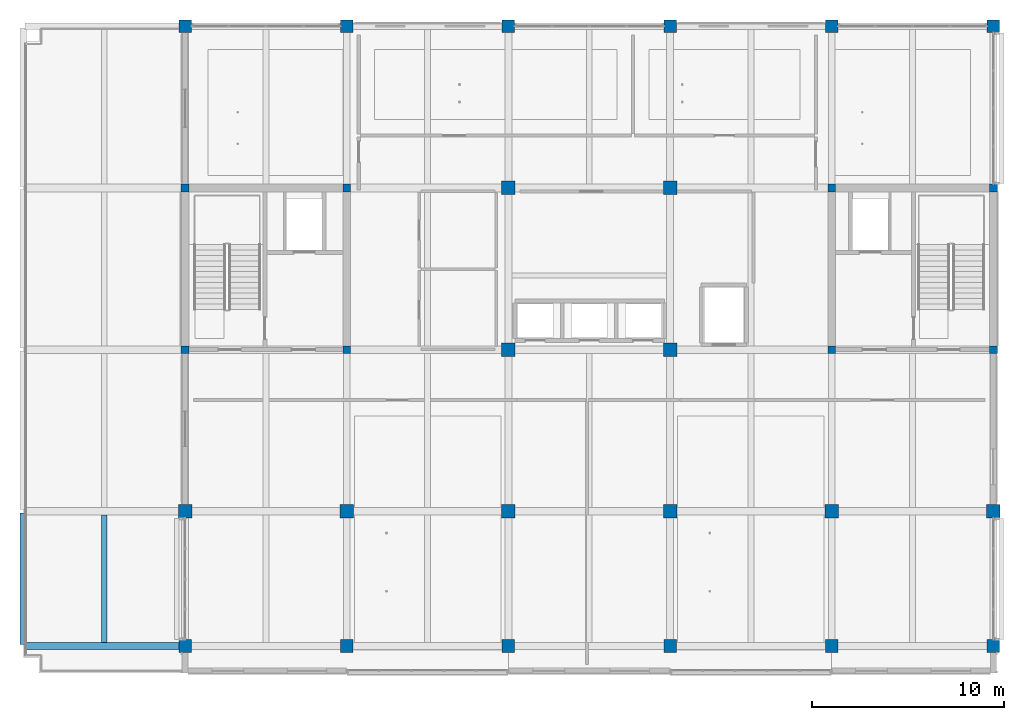
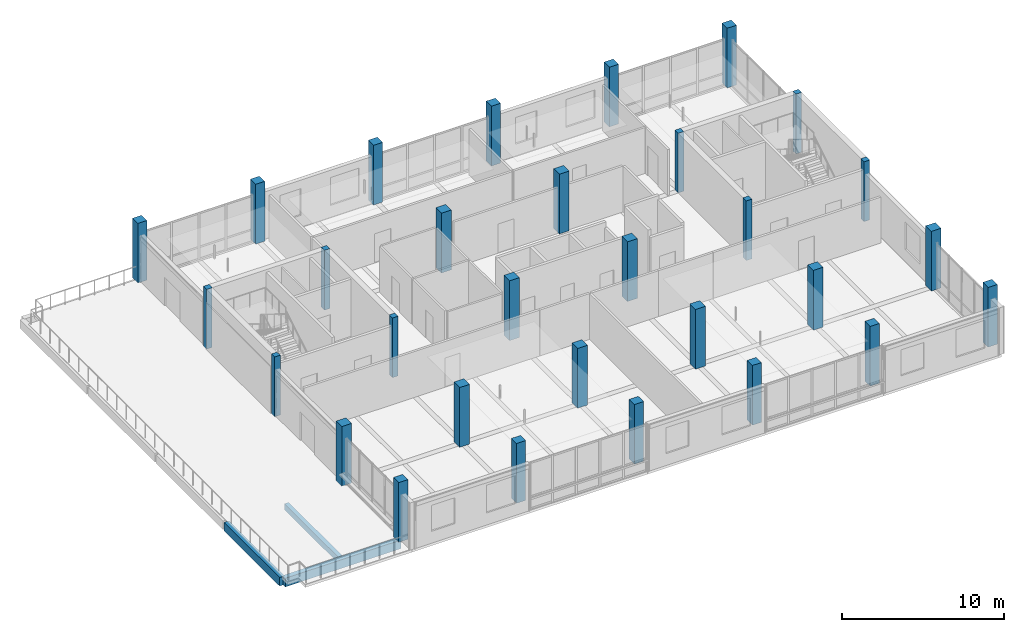
# One storey, part 1 of 28: 30 columns, 3 beams.
"""IFC4 building model written with IfcOpenShell, lengths in metres."""

from ifc_helpers import new_model, si_unit, direction, frame, origin, origin_2d, place, context, subcontext, project, spatial, rectangle, extrude, material, material_profile, profile_set, type_object, element, save


model = new_model("IFC4")

# Units and contexts
model_context = context("Model", 3, precision=1e-05, world=origin(), true_north=direction((0.0, 1.0)))
body_context = subcontext(model_context, "Body", "Model", "MODEL_VIEW")
ifc_project = project(units=[si_unit("LENGTHUNIT", "METRE"), si_unit("AREAUNIT", "SQUARE_METRE"), si_unit("VOLUMEUNIT", "CUBIC_METRE"), si_unit("PLANEANGLEUNIT", "RADIAN"), si_unit("MASSUNIT", "GRAM", prefix="KILO")], contexts=[model_context])

# Site, building, storey
site_placement = place(None, origin())
site = spatial("IfcSite", under=ifc_project, at=site_placement, CompositionType="ELEMENT")
building_placement = place(site_placement, origin())
building = spatial("IfcBuilding", under=site, at=building_placement, Name="Telukmera Botanical Conservatory", CompositionType="ELEMENT")
storey_placement = place(building_placement, frame((0.0, 0.0, 51.0)))
storey = spatial("IfcBuildingStorey", under=building, at=storey_placement, Name="L11", CompositionType="ELEMENT", Elevation=51.0)

# Columns
ifc_material_1 = material(Name="Concrete C40/50", Category="concrete")
ifc_material_profile_1 = material_profile(ifc_material_1, rectangle(XDim=0.64990234375, YDim=0.64990234375, at=origin_2d()), Name="RC 650x650")
ifc_profile_set_1 = profile_set([ifc_material_profile_1], Name="Concrete C40/50")
column_type_1 = type_object("IfcColumnType", Name="Col_C10", PredefinedType="COLUMN", material=ifc_profile_set_1)
for number, where, z_axis, x_axis, name in (
    (1, (58.800048828125, 10.60009765625, 0.0), (0.0, 0.0, 1.0), (1.0, 0.0, 0.0), "Column V4-L11 (58.8,10.6)"),
    (2, (58.800048828125, 42.800048828125, 0.0), (0.0, 0.0, 1.0), (1.0, 0.0, 0.0), "Column V4-L11 (58.8,42.8)"),
    (3, (67.199951171875, 10.60009765625, 0.0), (0.0, 0.0, 1.0), (1.0, 0.0, 0.0), "Column V4-L11 (67.2,10.6)"),
    (4, (67.199951171875, 42.800048828125, 0.0), (0.0, 0.0, 1.0), (1.0, 0.0, 0.0), "Column V4-L11 (67.2,42.8)"),
    (5, (75.60009765625, 10.60009765625, 0.0), (0.0, 0.0, 1.0), (1.0, 0.0, 0.0), "Column V4-L11 (75.6,10.6)"),
    (6, (75.60009765625, 42.800048828125, 0.0), (0.0, 0.0, 1.0), (1.0, 0.0, 0.0), "Column V4-L11 (75.6,42.8)"),
    (7, (84.0, 10.60009765625, 0.0), (0.0, 0.0, 1.0), (1.0, 0.0, 0.0), "Column V4-L11 (84.0,10.6)"),
    (8, (84.0, 42.800048828125, 0.0), (0.0, 0.0, 1.0), (1.0, 0.0, 0.0), "Column V4-L11 (84.0,42.8)"),
    (9, (92.39990234375, 10.60009765625, 0.0), (0.0, 0.0, 1.0), (1.0, 0.0, 0.0), "Column V4-L11 (92.4,10.6)"),
    (10, (92.39990234375, 42.800048828125, 0.0), (0.0, 0.0, 1.0), (1.0, 0.0, 0.0), "Column V4-L11 (92.4,42.8)"),
    (11, (100.800048828125, 10.60009765625, 0.0), (0.0, 0.0, 1.0), (1.0, 0.0, 0.0), "Column V4-L11 (100.8,10.6)"),
    (12, (100.800048828125, 42.800048828125, 0.0), (0.0, 0.0, 1.0), (1.0, 0.0, 0.0), "Column V4-L11 (100.8,42.8)"),
):
    element("IfcColumn", number, at=place(storey_placement, frame(where, z_axis=z_axis, x_axis=x_axis)), inside=storey, type_object=column_type_1, Name=name, PredefinedType="COLUMN", context=body_context, shape_type="SweptSolid", body=[
        extrude(rectangle(XDim=0.64990234375, YDim=0.64990234375, at=origin_2d()), origin(), (0.0, 0.0, 1.0), 4.5),
    ])
ifc_material_2 = material(Name="Concrete C50/60", Category="concrete")
ifc_material_profile_2 = material_profile(ifc_material_2, rectangle(XDim=0.39990234375, YDim=0.39990234375, at=origin_2d()), Name="RC 400x400")
ifc_profile_set_2 = profile_set([ifc_material_profile_2], Name="Concrete C50/60")
column_type_2 = type_object("IfcColumnType", Name="Col_C14", PredefinedType="COLUMN", material=ifc_profile_set_2)
for number, where, z_axis, x_axis, name in (
    (13, (58.800048828125, 26.0, 0.0), (0.0, 0.0, 1.0), (1.0, 0.0, 0.0), "Column V4-L11 (58.8,26.0)"),
    (14, (58.800048828125, 34.39990234375, 0.0), (0.0, 0.0, 1.0), (1.0, 0.0, 0.0), "Column V4-L11 (58.8,34.4)"),
    (15, (67.199951171875, 26.0, 0.0), (0.0, 0.0, 1.0), (1.0, 0.0, 0.0), "Column V4-L11 (67.2,26.0)"),
    (16, (67.199951171875, 34.39990234375, 0.0), (0.0, 0.0, 1.0), (1.0, 0.0, 0.0), "Column V4-L11 (67.2,34.4)"),
    (17, (92.39990234375, 26.0, 0.0), (0.0, 0.0, 1.0), (1.0, 0.0, 0.0), "Column V4-L11 (92.4,26.0)"),
    (18, (92.39990234375, 34.39990234375, 0.0), (0.0, 0.0, 1.0), (1.0, 0.0, 0.0), "Column V4-L11 (92.4,34.4)"),
    (19, (100.800048828125, 26.0, 0.0), (0.0, 0.0, 1.0), (1.0, 0.0, 0.0), "Column V4-L11 (100.8,26.0)"),
    (20, (100.800048828125, 34.39990234375, 0.0), (0.0, 0.0, 1.0), (1.0, 0.0, 0.0), "Column V4-L11 (100.8,34.4)"),
):
    element("IfcColumn", number, at=place(storey_placement, frame(where, z_axis=z_axis, x_axis=x_axis)), inside=storey, type_object=column_type_2, Name=name, PredefinedType="COLUMN", context=body_context, shape_type="SweptSolid", body=[
        extrude(rectangle(XDim=0.39990234375, YDim=0.39990234375, at=origin_2d()), origin(), (0.0, 0.0, 1.0), 4.5),
    ])
ifc_material_profile_3 = material_profile(ifc_material_1, rectangle(XDim=0.699951171875, YDim=0.699951171875, at=origin_2d()), Name="RC 700x700")
ifc_profile_set_3 = profile_set([ifc_material_profile_3], Name="Concrete C40/50")
column_type_3 = type_object("IfcColumnType", Name="Col_C9", PredefinedType="COLUMN", material=ifc_profile_set_3)
for number, where, z_axis, x_axis, name in (
    (21, (58.800048828125, 17.60009765625, 0.0), (0.0, 0.0, 1.0), (1.0, 0.0, 0.0), "Column V4-L11 (58.8,17.6)"),
    (22, (67.199951171875, 17.60009765625, 0.0), (0.0, 0.0, 1.0), (1.0, 0.0, 0.0), "Column V4-L11 (67.2,17.6)"),
    (23, (75.60009765625, 17.60009765625, 0.0), (0.0, 0.0, 1.0), (1.0, 0.0, 0.0), "Column V4-L11 (75.6,17.6)"),
    (24, (75.60009765625, 26.0, 0.0), (0.0, 0.0, 1.0), (1.0, 0.0, 0.0), "Column V4-L11 (75.6,26.0)"),
    (25, (75.60009765625, 34.39990234375, 0.0), (0.0, 0.0, 1.0), (1.0, 0.0, 0.0), "Column V4-L11 (75.6,34.4)"),
    (26, (84.0, 17.60009765625, 0.0), (0.0, 0.0, 1.0), (1.0, 0.0, 0.0), "Column V4-L11 (84.0,17.6)"),
    (27, (84.0, 26.0, 0.0), (0.0, 0.0, 1.0), (1.0, 0.0, 0.0), "Column V4-L11 (84.0,26.0)"),
    (28, (84.0, 34.39990234375, 0.0), (0.0, 0.0, 1.0), (1.0, 0.0, 0.0), "Column V4-L11 (84.0,34.4)"),
    (29, (92.39990234375, 17.60009765625, 0.0), (0.0, 0.0, 1.0), (1.0, 0.0, 0.0), "Column V4-L11 (92.4,17.6)"),
    (30, (100.800048828125, 17.60009765625, 0.0), (0.0, 0.0, 1.0), (1.0, 0.0, 0.0), "Column V4-L11 (100.8,17.6)"),
):
    element("IfcColumn", number, at=place(storey_placement, frame(where, z_axis=z_axis, x_axis=x_axis)), inside=storey, type_object=column_type_3, Name=name, PredefinedType="COLUMN", context=body_context, shape_type="SweptSolid", body=[
        extrude(rectangle(XDim=0.699951171875, YDim=0.699951171875, at=origin_2d()), origin(), (0.0, 0.0, 1.0), 4.5),
    ])

# Beams
ifc_material_profile_4 = material_profile(ifc_material_1, rectangle(XDim=0.300048828125, YDim=0.449951171875, at=origin_2d()), Name="RC 300x450")
ifc_profile_set_4 = profile_set([ifc_material_profile_4], Name="Concrete C40/50")
beam_type_1 = type_object("IfcBeamType", Name="Beam_B25", PredefinedType="JOIST", material=ifc_profile_set_4)
beam_1_placement = place(storey_placement, frame((54.60009765625, 10.77490234375, -0.22509765625), z_axis=(0.0, 1.0, 0.0), x_axis=(-1.0, 0.0, 0.0)))
element("IfcBeam", 31, at=beam_1_placement, inside=storey, type_object=beam_type_1, Name="Tower Secondary Floor Joist L11", PredefinedType="JOIST", context=body_context, shape_type="SweptSolid", body=[
    extrude(rectangle(XDim=0.300048828125, YDim=0.449951171875, at=origin_2d()), origin(), (0.0, 0.0, 1.0), 6.625),
])
ifc_material_3 = material(Name="Precast concrete C40/50", Category="concrete")
ifc_material_profile_5 = material_profile(ifc_material_3, rectangle(XDim=0.35009765625, YDim=0.64990234375, at=origin_2d()), Name="PC 350x650")
ifc_profile_set_5 = profile_set([ifc_material_profile_5], Name="Precast concrete C40/50")
beam_type_2 = type_object("IfcBeamType", Name="Beam_SP3", PredefinedType="SPANDREL", material=ifc_profile_set_5)
beam_2_placement = place(storey_placement, frame((50.47998046875, 10.60009765625, -0.324951171875), z_axis=(1.0, 0.0, 0.0), x_axis=(0.0, 1.0, 0.0)))
element("IfcBeam", 32, at=beam_2_placement, inside=storey, type_object=beam_type_2, Name="Tower Grid Beam L11", PredefinedType="SPANDREL", context=body_context, shape_type="SweptSolid", body=[
    extrude(rectangle(XDim=0.35009765625, YDim=0.64990234375, at=origin_2d()), origin(), (0.0, 0.0, 1.0), 8.239990234375),
])
beam_3_placement = place(storey_placement, frame((50.39990234375, 10.679931640625, -0.324951171875), z_axis=(0.0, 1.0, 0.0), x_axis=(-1.0, 0.0, 0.0)))
element("IfcBeam", 33, at=beam_3_placement, inside=storey, type_object=beam_type_2, Name="Tower Transverse Beam L11", PredefinedType="SPANDREL", context=body_context, shape_type="SweptSolid", body=[
    extrude(rectangle(XDim=0.35009765625, YDim=0.64990234375, at=origin_2d()), origin(), (0.0, 0.0, 1.0), 6.840087890625),
])

save(model, "model.ifc")
